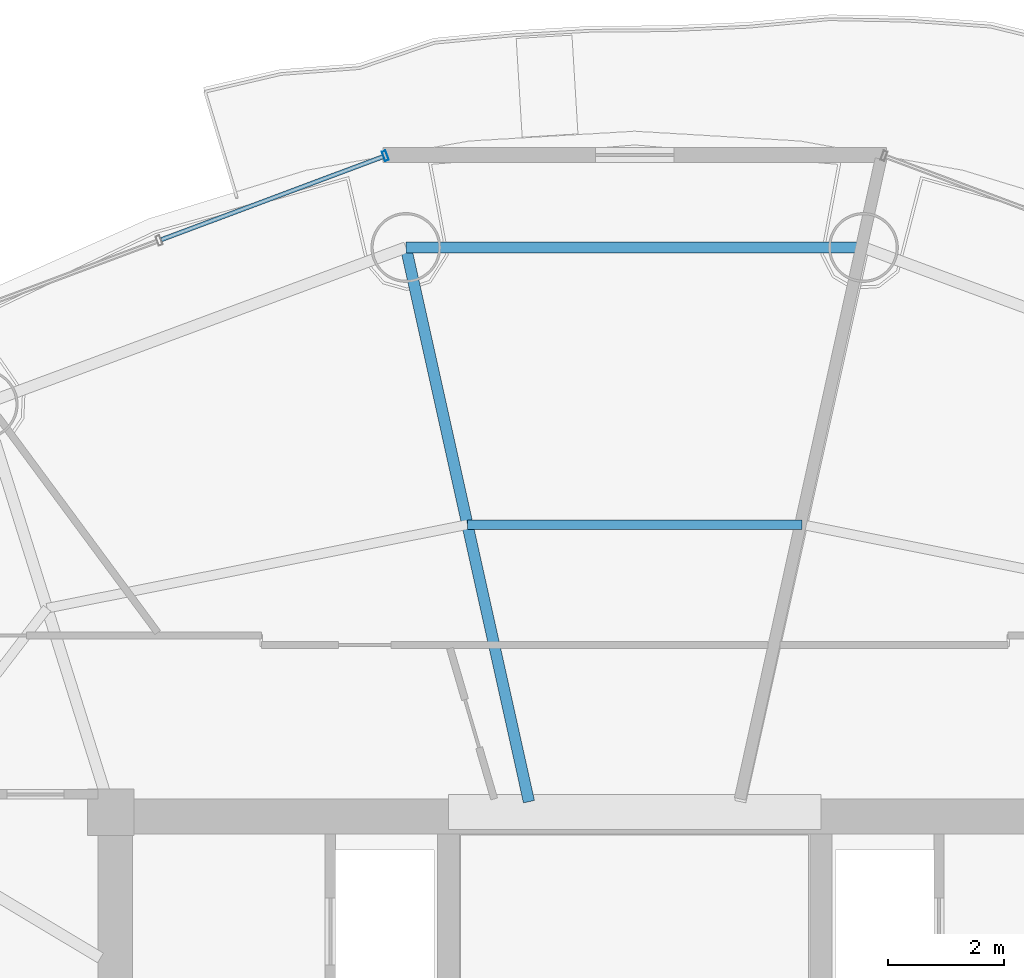
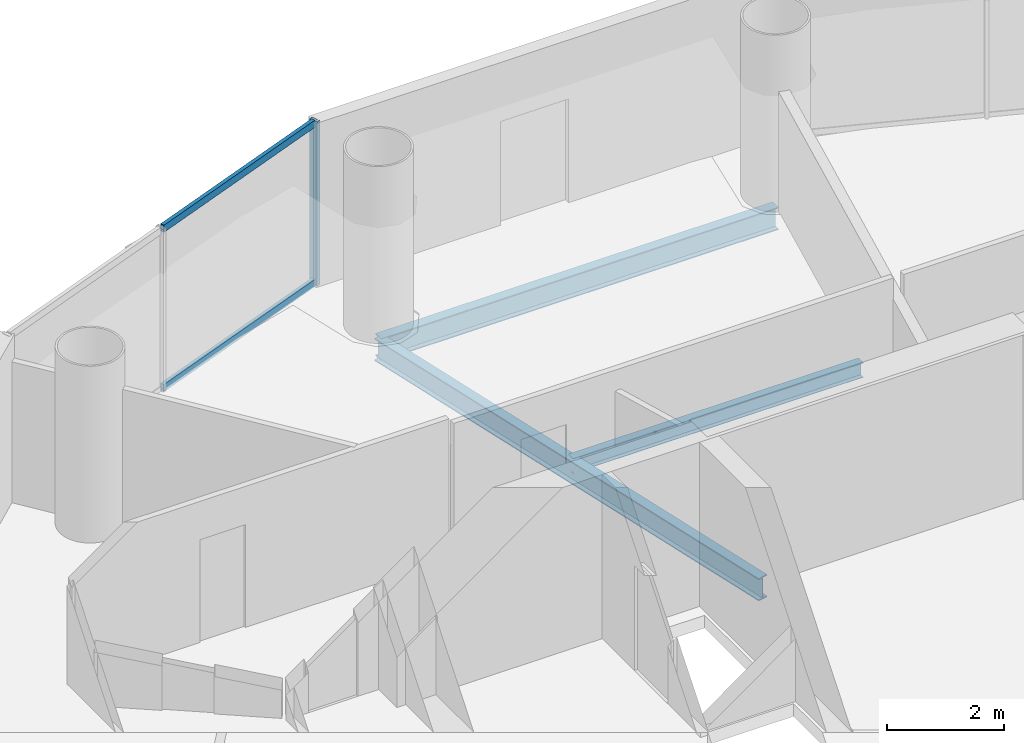
# One storey, part 16 of 26: 3 beams, 3 members, 1 element without a shape of its own.
"""IFC4 building model written with IfcOpenShell, lengths in metres."""

from ifc_helpers import new_model, si_unit, direction, frame, origin, origin_2d, place, context, subcontext, project, spatial, hollow_rectangle, i_section, extrude, source, transform, mapped, material, material_profile, profile_set, type_object, element, aggregate, save


model = new_model("IFC4")

# Units and contexts
model_context = context("Model", 3, precision=1e-05, world=origin(), true_north=direction((-0.2419218956, 0.970295726276)))
body_context = subcontext(model_context, "Body", "Model", "MODEL_VIEW")
ifc_project = project(units=[si_unit("LENGTHUNIT", "METRE"), si_unit("AREAUNIT", "SQUARE_METRE"), si_unit("VOLUMEUNIT", "CUBIC_METRE"), si_unit("PLANEANGLEUNIT", "RADIAN"), si_unit("MASSUNIT", "GRAM", prefix="KILO")], contexts=[model_context])

# Site, building, storey
site_placement = place(None, origin())
site = spatial("IfcSite", under=ifc_project, at=site_placement, CompositionType="ELEMENT")
building_placement = place(site_placement, origin())
building = spatial("IfcBuilding", under=site, at=building_placement, Name="Cobrevalo Terracotta Tower", CompositionType="ELEMENT")
storey_placement = place(building_placement, frame((0.0, 0.0, 228.199951171875)))
storey = spatial("IfcBuildingStorey", under=building, at=storey_placement, Name="L60", CompositionType="ELEMENT", Elevation=228.199951171875)

# Beams
ifc_material_1 = material(Name="Steel S355", Category="steel")
ifc_material_profile_1 = material_profile(ifc_material_1, i_section(OverallWidth=0.194091796875, OverallDepth=0.468994140625, WebThickness=0.011474609375, FlangeThickness=0.0205078125, at=origin_2d()), Name="W 460x106")
ifc_profile_set_1 = profile_set([ifc_material_profile_1], Name="Steel S355")
beam_type_1 = type_object("IfcBeamType", Name="Structural Beam W 460x106 (Steel S355)", PredefinedType="BEAM", material=ifc_profile_set_1)
beam_1_placement = place(storey_placement, frame((34.06884765625, 44.503173828125, -0.49951171875), z_axis=(0.216782061165, -0.976220025382, 0.0), x_axis=(0.976220025382, 0.216782061165, 0.0)))
element("IfcBeam", 1, at=beam_1_placement, inside=storey, type_object=beam_type_1, Name="L60 radial floor girder 05", PredefinedType="BEAM", context=body_context, shape_type="SweptSolid", body=[
    extrude(i_section(OverallWidth=0.194091796875, OverallDepth=0.468994140625, WebThickness=0.011474609375, FlangeThickness=0.0205078125, at=origin_2d()), origin(), (0.0, 0.0, 1.0), 9.755126953125),
])
ifc_material_profile_2 = material_profile(ifc_material_1, i_section(OverallWidth=0.1650390625, OverallDepth=0.31005859375, WebThickness=0.005859375, FlangeThickness=0.009765625, at=origin_2d()), Name="W 310x38.7")
ifc_profile_set_2 = profile_set([ifc_material_profile_2], Name="Steel S355")
beam_type_2 = type_object("IfcBeamType", Name="Structural Joist W 310x38.7 (Steel S355)", PredefinedType="JOIST", material=ifc_profile_set_2)
beam_2_placement = place(storey_placement, frame((40.873779296875, 39.74169921875, -0.419921875), z_axis=(-1.0, 0.0, 0.0), x_axis=(0.0, -1.0, 0.0)))
element("IfcBeam", 2, at=beam_2_placement, inside=storey, type_object=beam_type_2, Name="L60 circumferential secondary floor joist 04", PredefinedType="JOIST", context=body_context, shape_type="SweptSolid", body=[
    extrude(i_section(OverallWidth=0.1650390625, OverallDepth=0.31005859375, WebThickness=0.005859375, FlangeThickness=0.009765625, at=origin_2d()), origin(), (0.0, 0.0, 1.0), 5.74755859375),
])
ifc_material_profile_3 = material_profile(ifc_material_1, i_section(OverallWidth=0.194091796875, OverallDepth=0.468994140625, WebThickness=0.011474609375, FlangeThickness=0.0205078125, at=origin_2d()), Name="W 460x106")
ifc_profile_set_3 = profile_set([ifc_material_profile_3], Name="Steel S355")
beam_type_3 = type_object("IfcBeamType", Name="Structural Spandrel W 460x106 (Steel S355)", PredefinedType="SPANDREL", material=ifc_profile_set_3)
beam_3_placement = place(storey_placement, frame((41.93115234375, 44.503173828125, -0.49951171875), z_axis=(-1.0, 0.0, 0.0), x_axis=(0.0, -1.0, 0.0)))
element("IfcBeam", 3, at=beam_3_placement, inside=storey, type_object=beam_type_3, Name="L60 perimeter ring spandrel 04", PredefinedType="SPANDREL", context=body_context, shape_type="SweptSolid", body=[
    extrude(i_section(OverallWidth=0.194091796875, OverallDepth=0.468994140625, WebThickness=0.011474609375, FlangeThickness=0.0205078125, at=origin_2d()), origin(), (0.0, 0.0, 1.0), 7.8623046875),
])

# Curtain wall, members
ifc_material_2 = material(Name="Anodized aluminium", Category="aluminium")
curtain_wall_type = type_object("IfcCurtainWallType", Name="Mid-tower high-wind unitised curtain wall CW-U2", PredefinedType="NOTDEFINED", material=ifc_material_2)
curtain_wall_placement = place(storey_placement, origin())
curtain_wall = element("IfcCurtainWall", 4, at=curtain_wall_placement, inside=storey, type_object=curtain_wall_type, Name="L60 curtain wall CW-L60-S05", PredefinedType="NOTDEFINED")
ifc_material_profile_4 = material_profile(ifc_material_2, hollow_rectangle(XDim=0.074951171875, YDim=0.14990234375, WallThickness=0.00439453125, at=origin_2d()), Name="CWT 75x150")
ifc_profile_set_4 = profile_set([ifc_material_profile_4], Name="Anodized aluminium")
member_type_1 = type_object("IfcMemberType", Name="Tower unitised aluminium transom 75x150", PredefinedType="USERDEFINED", material=ifc_profile_set_4)
shared_shape_1 = source(origin(), body_context, "Body", "SweptSolid", [
    extrude(hollow_rectangle(XDim=0.074951171875, YDim=0.14990234375, WallThickness=0.00439453125, at=origin_2d()), origin(), (0.0, 0.0, 1.0), 4.06982421875),
])
member_1_placement = place(storey_placement, frame((33.677978515625, 46.06396484375, 0.050048828125), z_axis=(-0.936555791772, -0.350518542873, 0.0), x_axis=(0.350518542873, -0.936555791772, 0.0)))
member_1 = element("IfcMember", 5, at=member_1_placement, type_object=member_type_1, Name="CW-L60-S05 transom B01-T1", ObjectType="TRANSOM", PredefinedType="USERDEFINED", context=body_context, shape_type="MappedRepresentation", body=[
    mapped(shared_shape_1, transform((0.0, 0.0, 0.0), scale=1.0)),
])
member_2_placement = place(storey_placement, frame((33.677978515625, 46.06396484375, 3.385009765625), z_axis=(-0.936555791772, -0.350518542873, 0.0), x_axis=(0.350518542873, -0.936555791772, 0.0)))
member_2 = element("IfcMember", 6, at=member_2_placement, type_object=member_type_1, Name="CW-L60-S05 transom B01-T2", ObjectType="TRANSOM", PredefinedType="USERDEFINED", context=body_context, shape_type="MappedRepresentation", body=[
    mapped(shared_shape_1, transform((0.0, 0.0, 0.0), scale=1.0)),
])
ifc_material_profile_5 = material_profile(ifc_material_2, hollow_rectangle(XDim=0.070068359375, YDim=0.169921875, WallThickness=0.00439453125, at=origin_2d()), Name="CWM 70x170")
ifc_profile_set_5 = profile_set([ifc_material_profile_5], Name="Anodized aluminium")
member_type_2 = type_object("IfcMemberType", Name="Upper tower unitised mullion 70x170", PredefinedType="MULLION", material=ifc_profile_set_5)
shared_shape_2 = source(origin(), body_context, "Body", "SweptSolid", [
    extrude(hollow_rectangle(XDim=0.070068359375, YDim=0.169921875, WallThickness=0.00439453125, at=origin_2d()), origin(), (0.0, 0.0, 1.0), 3.43505859375),
])
member_3_placement = place(storey_placement, frame((33.71533203125, 46.078125, 0.0), z_axis=(0.0, 0.0, 1.0), x_axis=(-0.936556004584, -0.350517974259, 0.0)))
member_3 = element("IfcMember", 7, at=member_3_placement, type_object=member_type_2, Name="CW-L60-S05 vertical mullion 01", PredefinedType="MULLION", context=body_context, shape_type="MappedRepresentation", body=[
    mapped(shared_shape_2, transform((0.0, 0.0, 0.0), scale=1.0)),
])
aggregate(curtain_wall, [member_3, member_1, member_2])

save(model, "model.ifc")
